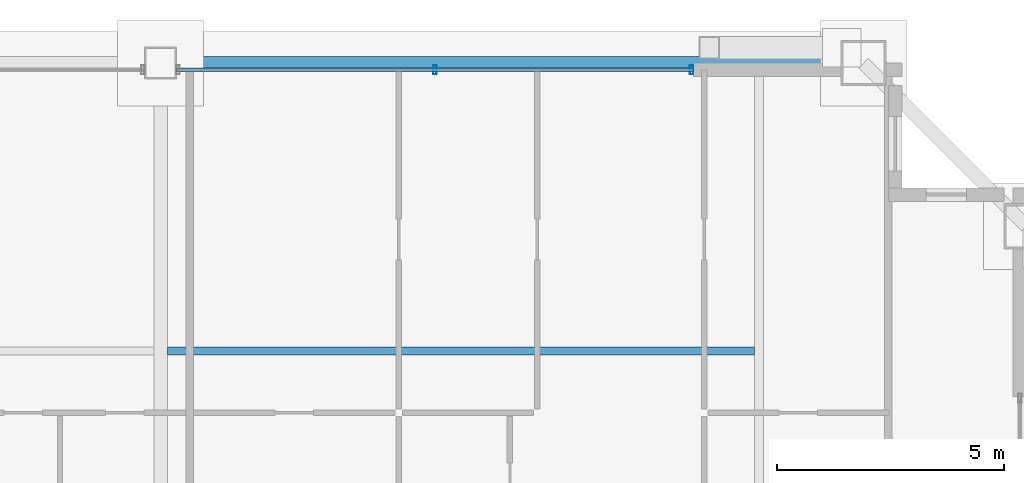
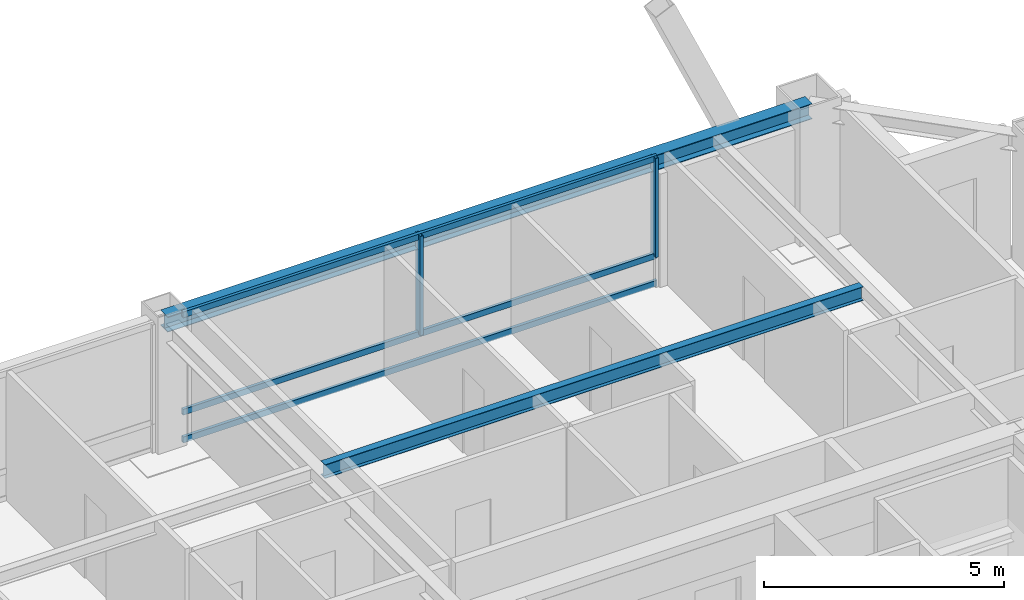
# One storey, part 19 of 35: 5 members, 2 beams, 1 element without a shape of its own.
"""IFC4 building model written with IfcOpenShell, lengths in metres."""

from ifc_helpers import new_model, si_unit, direction, frame, origin, origin_2d, place, context, subcontext, project, spatial, hollow_rectangle, i_section, extrude, source, transform, mapped, material, layer, layer_set, material_profile, profile_set, type_object, element, aggregate, save


model = new_model("IFC4")

# Units and contexts
model_context = context("Model", 3, precision=1e-05, world=origin(), true_north=direction((0.0, 1.0)))
body_context = subcontext(model_context, "Body", "Model", "MODEL_VIEW")
ifc_project = project(units=[si_unit("LENGTHUNIT", "METRE"), si_unit("AREAUNIT", "SQUARE_METRE"), si_unit("VOLUMEUNIT", "CUBIC_METRE"), si_unit("PLANEANGLEUNIT", "RADIAN"), si_unit("MASSUNIT", "GRAM", prefix="KILO"), si_unit("THERMODYNAMICTEMPERATUREUNIT", "KELVIN"), si_unit("POWERUNIT", "WATT")], contexts=[model_context])

# Site, building, storey
site_placement = place(None, origin())
site = spatial("IfcSite", under=ifc_project, at=site_placement, CompositionType="ELEMENT")
building_placement = place(site_placement, origin())
building = spatial("IfcBuilding", under=site, at=building_placement, Name="Yuzanri Waterfront Tower", CompositionType="ELEMENT")
storey_placement = place(building_placement, frame((0.0, 0.0, 285.60009765625)))
storey = spatial("IfcBuildingStorey", under=building, at=storey_placement, Name="L76", CompositionType="ELEMENT", Elevation=285.60009765625)

# Beams
ifc_material_1 = material(Name="Steel Q355B", Category="steel")
ifc_material_profile_1 = material_profile(ifc_material_1, i_section(OverallWidth=0.175048828125, OverallDepth=0.35009765625, WebThickness=0.007080078125, FlangeThickness=0.010986328125, at=origin_2d()), Name="HN 350x175x7x11")
ifc_profile_set_1 = profile_set([ifc_material_profile_1], Name="Steel Q355B")
beam_type_1 = type_object("IfcBeamType", Name="Floor Joist Q355B HN 350x175", PredefinedType="JOIST", material=ifc_profile_set_1)
shared_shape_1 = source(origin(), body_context, "Body", "SweptSolid", [
    extrude(i_section(OverallWidth=0.175048828125, OverallDepth=0.35009765625, WebThickness=0.007080078125, FlangeThickness=0.010986328125, at=origin_2d()), origin(), (0.0, 0.0, 1.0), 12.9501953125),
])
beam_1_placement = place(storey_placement, frame((37.14990234375, 38.550048828125, 3.10498046875), z_axis=(1.0, 0.0, 0.0), x_axis=(0.0, 1.0, 0.0)))
element("IfcBeam", 1, at=beam_1_placement, inside=storey, type_object=beam_type_1, Name="L76 North Bay Joist E", PredefinedType="JOIST", context=body_context, shape_type="MappedRepresentation", body=[
    mapped(shared_shape_1, transform((0.0, 0.0, 0.0), scale=1.0)),
])
ifc_material_2 = material(Name="Steel Q355B", Category="steel")
ifc_material_profile_2 = material_profile(ifc_material_2, i_section(OverallWidth=0.300048828125, OverallDepth=0.389892578125, WebThickness=0.010009765625, FlangeThickness=0.01611328125, at=origin_2d()), Name="HM 390x300x10x16")
ifc_profile_set_2 = profile_set([ifc_material_profile_2], Name="Steel Q355B")
beam_type_2 = type_object("IfcBeamType", Name="Perimeter Spandrel Q355B HM 390x300", PredefinedType="SPANDREL", material=ifc_profile_set_2)
shared_shape_2 = source(origin(), body_context, "Body", "SweptSolid", [
    extrude(i_section(OverallWidth=0.300048828125, OverallDepth=0.389892578125, WebThickness=0.010009765625, FlangeThickness=0.01611328125, at=origin_2d()), origin(), (0.0, 0.0, 1.0), 15.5),
])
beam_2_placement = place(storey_placement, frame((52.5, 44.89990234375, 3.0849609375), z_axis=(-1.0, 0.0, 0.0), x_axis=(0.0, -1.0, 0.0)))
element("IfcBeam", 2, at=beam_2_placement, inside=storey, type_object=beam_type_2, Name="L76 Perimeter Spandrel N3-N2", PredefinedType="SPANDREL", context=body_context, shape_type="MappedRepresentation", body=[
    mapped(shared_shape_2, transform((0.0, 0.0, 0.0), scale=1.0)),
])

# Curtain wall, members
ifc_material_3 = material(Name="Anodized Architectural Bronze", Category="metal")
ifc_layer = layer(ifc_material_3, 0.159912109375)
ifc_layer_set = layer_set([ifc_layer], Name="Anodized Architectural Bronze")
curtain_wall_type = type_object("IfcCurtainWallType", Name="Anodized Bronze High-Rise Penthouse High-Wind Unitized Curtain Wall 6900", PredefinedType="NOTDEFINED", material=ifc_layer_set)
curtain_wall_placement = place(storey_placement, origin())
curtain_wall = element("IfcCurtainWall", 3, at=curtain_wall_placement, inside=storey, type_object=curtain_wall_type, Name="L76 Curtain Wall CW-L76-NR", PredefinedType="NOTDEFINED")
ifc_material_4 = material(Name="Anodized Architectural Bronze", Category="metal")
ifc_material_profile_3 = material_profile(ifc_material_4, hollow_rectangle(XDim=0.074951171875, YDim=0.199951171875, WallThickness=0.00390625, at=origin_2d()), Name="CWM 75x200")
ifc_profile_set_3 = profile_set([ifc_material_profile_3], Name="Anodized Architectural Bronze")
member_type_1 = type_object("IfcMemberType", Name="Anodized Bronze Primary Curtain-Wall Mullion 75x200", PredefinedType="MULLION", material=ifc_profile_set_3)
shared_shape_3 = source(origin(), body_context, "Body", "SweptSolid", [
    extrude(hollow_rectangle(XDim=0.074951171875, YDim=0.199951171875, WallThickness=0.00390625, at=origin_2d()), origin(), (0.0, 0.0, 1.0), 2.52392578125),
])
member_1_placement = place(storey_placement, frame((43.050048828125, 44.75, 0.755859375), z_axis=(0.0, 0.0, 1.0), x_axis=(1.0, 0.0, 0.0)))
member_1 = element("IfcMember", 4, at=member_1_placement, type_object=member_type_1, Name="CW-L76-NR Upper Mullion 01", PredefinedType="MULLION", context=body_context, shape_type="MappedRepresentation", body=[
    mapped(shared_shape_3, transform((0.0, 0.0, 0.0), scale=1.0)),
])
member_2_placement = place(storey_placement, frame((48.7099609375, 44.75, 0.755859375), z_axis=(0.0, 0.0, 1.0), x_axis=(1.0, 0.0, 0.0)))
member_2 = element("IfcMember", 5, at=member_2_placement, type_object=member_type_1, Name="CW-L76-NR Upper Mullion 02", PredefinedType="MULLION", context=body_context, shape_type="MappedRepresentation", body=[
    mapped(shared_shape_3, transform((0.0, 0.0, 0.0), scale=1.0)),
])
ifc_material_5 = material(Name="Anodized Architectural Bronze", Category="metal")
ifc_material_profile_4 = material_profile(ifc_material_5, hollow_rectangle(XDim=0.074951171875, YDim=0.14990234375, WallThickness=0.00390625, at=origin_2d()), Name="CWT 75x150")
ifc_profile_set_4 = profile_set([ifc_material_profile_4], Name="Anodized Architectural Bronze")
member_type_2 = type_object("IfcMemberType", Name="Anodized Bronze Primary Curtain-Wall Transom 75x150", PredefinedType="USERDEFINED", material=ifc_profile_set_4)
shared_shape_4 = source(origin(), body_context, "Body", "SweptSolid", [
    extrude(hollow_rectangle(XDim=0.074951171875, YDim=0.14990234375, WallThickness=0.00390625, at=origin_2d()), origin(), (0.0, 0.0, 1.0), 11.39990234375),
])
member_3_placement = place(storey_placement, frame((37.35009765625, 44.75, 0.0498046875), z_axis=(1.0, 0.0, 0.0), x_axis=(0.0, 1.0, 0.0)))
member_3 = element("IfcMember", 6, at=member_3_placement, type_object=member_type_2, Name="CW-L76-NR Transom 1", ObjectType="TRANSOM", PredefinedType="USERDEFINED", context=body_context, shape_type="MappedRepresentation", body=[
    mapped(shared_shape_4, transform((0.0, 0.0, 0.0), scale=1.0)),
])
member_4_placement = place(storey_placement, frame((37.35009765625, 44.75, 0.75390625), z_axis=(1.0, 0.0, 0.0), x_axis=(0.0, 1.0, 0.0)))
member_4 = element("IfcMember", 7, at=member_4_placement, type_object=member_type_2, Name="CW-L76-NR Transom 2", ObjectType="TRANSOM", PredefinedType="USERDEFINED", context=body_context, shape_type="MappedRepresentation", body=[
    mapped(shared_shape_4, transform((0.0, 0.0, 0.0), scale=1.0)),
])
member_5_placement = place(storey_placement, frame((37.35009765625, 44.75, 3.22998046875), z_axis=(1.0, 0.0, 0.0), x_axis=(0.0, 1.0, 0.0)))
member_5 = element("IfcMember", 8, at=member_5_placement, type_object=member_type_2, Name="CW-L76-NR Transom 3", ObjectType="TRANSOM", PredefinedType="USERDEFINED", context=body_context, shape_type="MappedRepresentation", body=[
    mapped(shared_shape_4, transform((0.0, 0.0, 0.0), scale=1.0)),
])
aggregate(curtain_wall, [member_1, member_2, member_3, member_4, member_5])

save(model, "model.ifc")
